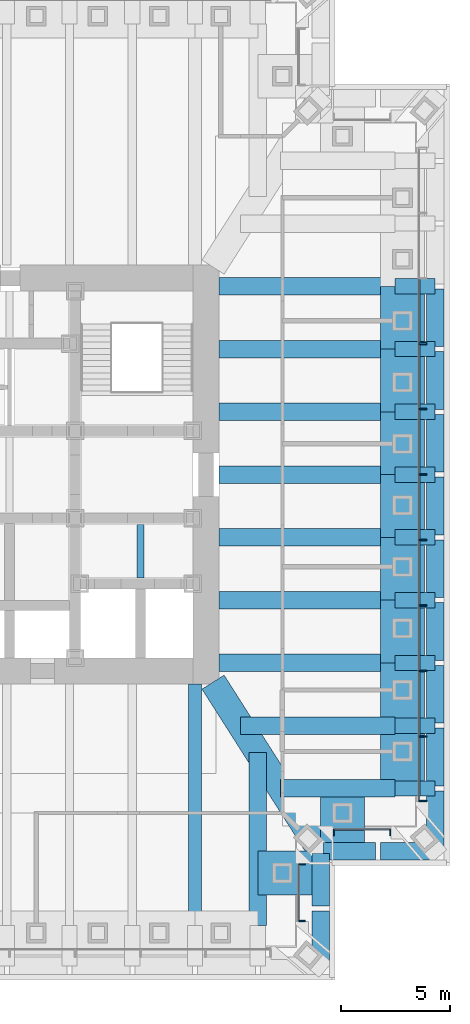
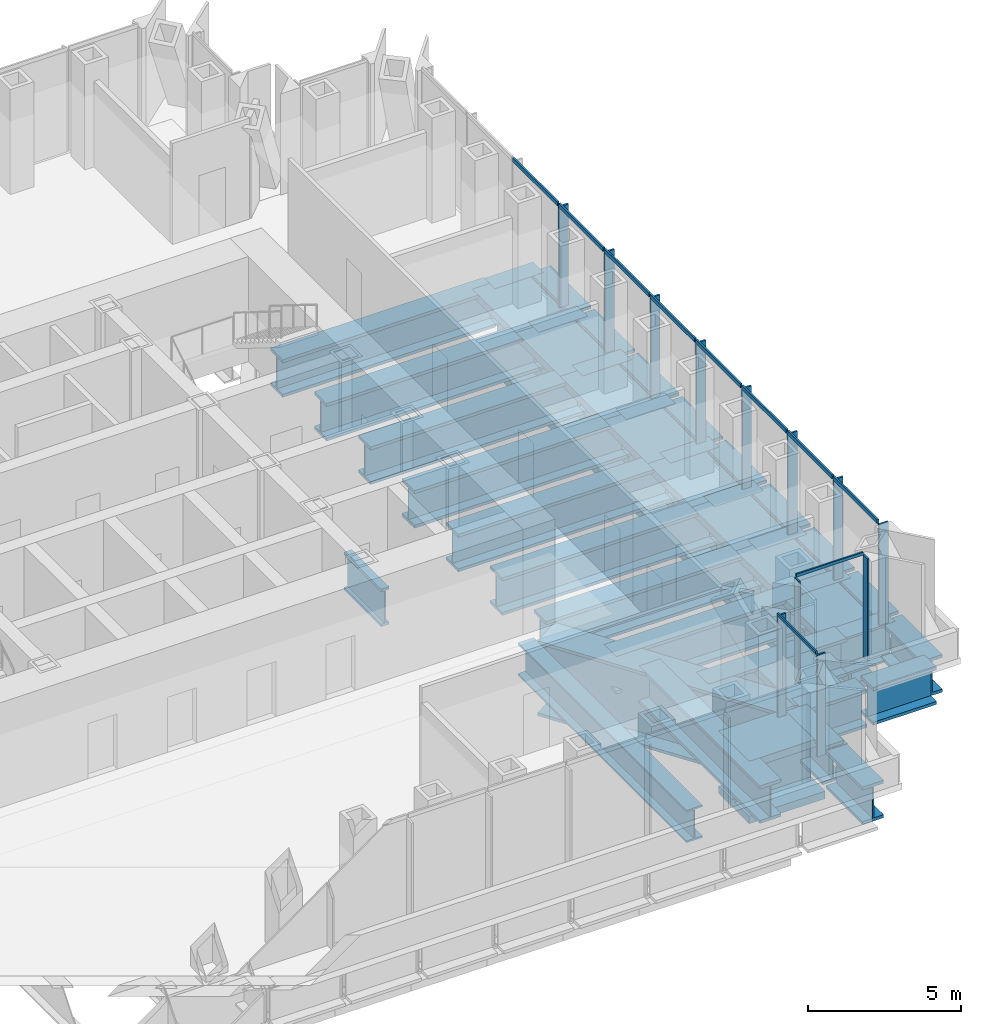
# One storey, part 4 of 12: 45 beams, 22 members, 3 elements without a shape of their own.
"""IFC4 building model written with IfcOpenShell, lengths in metres."""

from ifc_helpers import new_model, si_unit, direction, frame, origin, origin_2d, place, context, subcontext, project, spatial, rectangle, i_section, extrude, material, material_profile, profile_set, type_object, element, aggregate, save


model = new_model("IFC4")

# Units and contexts
model_context = context("Model", 3, precision=1e-05, world=origin(), true_north=direction((0.0, 1.0)))
body_context = subcontext(model_context, "Body", "Model", "MODEL_VIEW")
ifc_project = project(units=[si_unit("LENGTHUNIT", "METRE"), si_unit("AREAUNIT", "SQUARE_METRE"), si_unit("VOLUMEUNIT", "CUBIC_METRE"), si_unit("PLANEANGLEUNIT", "RADIAN"), si_unit("MASSUNIT", "GRAM", prefix="KILO")], contexts=[model_context])

# Site, building, storey
site_placement = place(None, origin())
site = spatial("IfcSite", under=ifc_project, at=site_placement, CompositionType="ELEMENT")
building_placement = place(site_placement, origin())
building = spatial("IfcBuilding", under=site, at=building_placement, Name="Daluyong Arena Tower", CompositionType="ELEMENT")
storey_placement = place(building_placement, frame((0.0, 0.0, 181.300048828125)))
storey = spatial("IfcBuildingStorey", under=building, at=storey_placement, Name="L40", CompositionType="ELEMENT", Elevation=181.300048828125)

# Curtain wall, members
ifc_material_1 = material(Name="Bronze anodised aluminium and glass", Category="aluminium")
curtain_wall_type_1 = type_object("IfcCurtainWallType", Name="Curtain wall CW3", PredefinedType="USERDEFINED", material=ifc_material_1)
curtain_wall_1_placement = place(storey_placement, origin())
curtain_wall_1 = element("IfcCurtainWall", 1, at=curtain_wall_1_placement, inside=storey, type_object=curtain_wall_type_1, Name="curtain wall L40 E", ObjectType="UNITISED CURTAIN WALL", PredefinedType="USERDEFINED")
ifc_material_2 = material(Name="Bronze anodised aluminium fin", Category="aluminium")
ifc_material_profile_1 = material_profile(ifc_material_2, rectangle(XDim=0.35009765625, YDim=0.070068359375, at=origin_2d()))
ifc_profile_set_1 = profile_set([ifc_material_profile_1], Name="Bronze anodised aluminium fin")
member_type_1 = type_object("IfcMemberType", Name="CW3 bronze fin 350x70", PredefinedType="MULLION", material=ifc_profile_set_1)
member_1_placement = place(storey_placement, frame((77.925048828125, 65.050537109375, 0.0), z_axis=(0.0, 0.0, 1.0), x_axis=(-1.0, 0.0, 0.0)))
member_1 = element("IfcMember", 2, at=member_1_placement, type_object=member_type_1, Name="curtain wall L40 E fin 1", PredefinedType="MULLION", context=body_context, shape_type="SweptSolid", body=[
    extrude(rectangle(XDim=0.35009765625, YDim=0.070068359375, at=origin_2d()), origin(), (0.0, 0.0, 1.0), 4.0400390625),
])
member_2_placement = place(storey_placement, frame((77.925048828125, 68.012451171875, 0.0), z_axis=(0.0, 0.0, 1.0), x_axis=(-1.0, 0.0, 0.0)))
member_2 = element("IfcMember", 3, at=member_2_placement, type_object=member_type_1, Name="curtain wall L40 E fin 2", PredefinedType="MULLION", context=body_context, shape_type="SweptSolid", body=[
    extrude(rectangle(XDim=0.35009765625, YDim=0.070068359375, at=origin_2d()), origin(), (0.0, 0.0, 1.0), 4.0400390625),
])
member_3_placement = place(storey_placement, frame((77.925048828125, 71.00927734375, 0.0), z_axis=(0.0, 0.0, 1.0), x_axis=(-1.0, 0.0, 0.0)))
member_3 = element("IfcMember", 4, at=member_3_placement, type_object=member_type_1, Name="curtain wall L40 E fin 3", PredefinedType="MULLION", context=body_context, shape_type="SweptSolid", body=[
    extrude(rectangle(XDim=0.35009765625, YDim=0.070068359375, at=origin_2d()), origin(), (0.0, 0.0, 1.0), 4.0400390625),
])
member_4_placement = place(storey_placement, frame((77.925048828125, 74.006103515625, 0.0), z_axis=(0.0, 0.0, 1.0), x_axis=(-1.0, 0.0, 0.0)))
member_4 = element("IfcMember", 5, at=member_4_placement, type_object=member_type_1, Name="curtain wall L40 E fin 4", PredefinedType="MULLION", context=body_context, shape_type="SweptSolid", body=[
    extrude(rectangle(XDim=0.35009765625, YDim=0.070068359375, at=origin_2d()), origin(), (0.0, 0.0, 1.0), 4.0400390625),
])
member_5_placement = place(storey_placement, frame((77.925048828125, 77.003173828125, 0.0), z_axis=(0.0, 0.0, 1.0), x_axis=(-1.0, 0.0, 0.0)))
member_5 = element("IfcMember", 6, at=member_5_placement, type_object=member_type_1, Name="curtain wall L40 E fin 5", PredefinedType="MULLION", context=body_context, shape_type="SweptSolid", body=[
    extrude(rectangle(XDim=0.35009765625, YDim=0.070068359375, at=origin_2d()), origin(), (0.0, 0.0, 1.0), 4.0400390625),
])
member_6_placement = place(storey_placement, frame((77.925048828125, 80.0, 0.0), z_axis=(0.0, 0.0, 1.0), x_axis=(-1.0, 0.0, 0.0)))
member_6 = element("IfcMember", 7, at=member_6_placement, type_object=member_type_1, Name="curtain wall L40 E fin 6", PredefinedType="MULLION", context=body_context, shape_type="SweptSolid", body=[
    extrude(rectangle(XDim=0.35009765625, YDim=0.070068359375, at=origin_2d()), origin(), (0.0, 0.0, 1.0), 4.0400390625),
])
member_7_placement = place(storey_placement, frame((77.925048828125, 82.996826171875, 0.0), z_axis=(0.0, 0.0, 1.0), x_axis=(-1.0, 0.0, 0.0)))
member_7 = element("IfcMember", 8, at=member_7_placement, type_object=member_type_1, Name="curtain wall L40 E fin 7", PredefinedType="MULLION", context=body_context, shape_type="SweptSolid", body=[
    extrude(rectangle(XDim=0.35009765625, YDim=0.070068359375, at=origin_2d()), origin(), (0.0, 0.0, 1.0), 4.0400390625),
])
member_8_placement = place(storey_placement, frame((77.925048828125, 85.993896484375, 0.0), z_axis=(0.0, 0.0, 1.0), x_axis=(-1.0, 0.0, 0.0)))
member_8 = element("IfcMember", 9, at=member_8_placement, type_object=member_type_1, Name="curtain wall L40 E fin 8", PredefinedType="MULLION", context=body_context, shape_type="SweptSolid", body=[
    extrude(rectangle(XDim=0.35009765625, YDim=0.070068359375, at=origin_2d()), origin(), (0.0, 0.0, 1.0), 4.0400390625),
])
ifc_material_3 = material(Name="Bronze anodised aluminium", Category="aluminium")
ifc_material_profile_2 = material_profile(ifc_material_3, rectangle(XDim=0.070068359375, YDim=0.159912109375, at=origin_2d()))
ifc_profile_set_2 = profile_set([ifc_material_profile_2], Name="Bronze anodised aluminium")
member_type_2 = type_object("IfcMemberType", Name="CW3 stack transom 160x70", PredefinedType="USERDEFINED", material=ifc_profile_set_2)
member_9_placement = place(storey_placement, frame((77.75, 65.08544921875, 4.119873046875), z_axis=(0.0, 1.0, 0.0), x_axis=(-1.0, 0.0, 0.0)))
member_9 = element("IfcMember", 10, at=member_9_placement, type_object=member_type_2, Name="curtain wall L40 E transom 1", ObjectType="TRANSOM", PredefinedType="USERDEFINED", context=body_context, shape_type="SweptSolid", body=[
    extrude(rectangle(XDim=0.070068359375, YDim=0.159912109375, at=origin_2d()), origin(), (0.0, 0.0, 1.0), 2.891845703125),
])
member_10_placement = place(storey_placement, frame((77.75, 68.04736328125, 4.119873046875), z_axis=(0.0, 1.0, 0.0), x_axis=(-1.0, 0.0, 0.0)))
member_10 = element("IfcMember", 11, at=member_10_placement, type_object=member_type_2, Name="curtain wall L40 E transom 2", ObjectType="TRANSOM", PredefinedType="USERDEFINED", context=body_context, shape_type="SweptSolid", body=[
    extrude(rectangle(XDim=0.070068359375, YDim=0.159912109375, at=origin_2d()), origin(), (0.0, 0.0, 1.0), 2.927001953125),
])
member_11_placement = place(storey_placement, frame((77.75, 71.044189453125, 4.119873046875), z_axis=(0.0, 1.0, 0.0), x_axis=(-1.0, 0.0, 0.0)))
member_11 = element("IfcMember", 12, at=member_11_placement, type_object=member_type_2, Name="curtain wall L40 E transom 3", ObjectType="TRANSOM", PredefinedType="USERDEFINED", context=body_context, shape_type="SweptSolid", body=[
    extrude(rectangle(XDim=0.070068359375, YDim=0.159912109375, at=origin_2d()), origin(), (0.0, 0.0, 1.0), 2.927001953125),
])
member_12_placement = place(storey_placement, frame((77.75, 74.041259765625, 4.119873046875), z_axis=(0.0, 1.0, 0.0), x_axis=(-1.0, 0.0, 0.0)))
member_12 = element("IfcMember", 13, at=member_12_placement, type_object=member_type_2, Name="curtain wall L40 E transom 4", ObjectType="TRANSOM", PredefinedType="USERDEFINED", context=body_context, shape_type="SweptSolid", body=[
    extrude(rectangle(XDim=0.070068359375, YDim=0.159912109375, at=origin_2d()), origin(), (0.0, 0.0, 1.0), 2.9267578125),
])
member_13_placement = place(storey_placement, frame((77.75, 77.0380859375, 4.119873046875), z_axis=(0.0, 1.0, 0.0), x_axis=(-1.0, 0.0, 0.0)))
member_13 = element("IfcMember", 14, at=member_13_placement, type_object=member_type_2, Name="curtain wall L40 E transom 5", ObjectType="TRANSOM", PredefinedType="USERDEFINED", context=body_context, shape_type="SweptSolid", body=[
    extrude(rectangle(XDim=0.070068359375, YDim=0.159912109375, at=origin_2d()), origin(), (0.0, 0.0, 1.0), 2.927001953125),
])
member_14_placement = place(storey_placement, frame((77.75, 80.034912109375, 4.119873046875), z_axis=(0.0, 1.0, 0.0), x_axis=(-1.0, 0.0, 0.0)))
member_14 = element("IfcMember", 15, at=member_14_placement, type_object=member_type_2, Name="curtain wall L40 E transom 6", ObjectType="TRANSOM", PredefinedType="USERDEFINED", context=body_context, shape_type="SweptSolid", body=[
    extrude(rectangle(XDim=0.070068359375, YDim=0.159912109375, at=origin_2d()), origin(), (0.0, 0.0, 1.0), 2.927001953125),
])
member_15_placement = place(storey_placement, frame((77.75, 83.031982421875, 4.119873046875), z_axis=(0.0, 1.0, 0.0), x_axis=(-1.0, 0.0, 0.0)))
member_15 = element("IfcMember", 16, at=member_15_placement, type_object=member_type_2, Name="curtain wall L40 E transom 7", ObjectType="TRANSOM", PredefinedType="USERDEFINED", context=body_context, shape_type="SweptSolid", body=[
    extrude(rectangle(XDim=0.070068359375, YDim=0.159912109375, at=origin_2d()), origin(), (0.0, 0.0, 1.0), 2.9267578125),
])
member_16_placement = place(storey_placement, frame((77.75, 86.02880859375, 4.119873046875), z_axis=(0.0, 1.0, 0.0), x_axis=(-1.0, 0.0, 0.0)))
member_16 = element("IfcMember", 17, at=member_16_placement, type_object=member_type_2, Name="curtain wall L40 E transom 8", ObjectType="TRANSOM", PredefinedType="USERDEFINED", context=body_context, shape_type="SweptSolid", body=[
    extrude(rectangle(XDim=0.070068359375, YDim=0.159912109375, at=origin_2d()), origin(), (0.0, 0.0, 1.0), 2.927001953125),
])
aggregate(curtain_wall_1, [member_1, member_2, member_3, member_4, member_5, member_6, member_7, member_8, member_9, member_10, member_11, member_12, member_13, member_14, member_15, member_16])

ifc_material_4 = material(Name="Bronze anodised aluminium and glass", Category="aluminium")
curtain_wall_type_2 = type_object("IfcCurtainWallType", Name="Curtain wall CW7", PredefinedType="USERDEFINED", material=ifc_material_4)
curtain_wall_2_placement = place(storey_placement, origin())
curtain_wall_2 = element("IfcCurtainWall", 18, at=curtain_wall_2_placement, inside=storey, type_object=curtain_wall_type_2, Name="curtain wall L40 SE-E", ObjectType="UNITISED CURTAIN WALL", PredefinedType="USERDEFINED")
ifc_material_5 = material(Name="Bronze anodised aluminium fin", Category="aluminium")
ifc_material_profile_3 = material_profile(ifc_material_5, rectangle(XDim=0.300048828125, YDim=0.06005859375, at=origin_2d()))
ifc_profile_set_3 = profile_set([ifc_material_profile_3], Name="Bronze anodised aluminium fin")
member_type_3 = type_object("IfcMemberType", Name="CW7 bronze fin 300x60", PredefinedType="MULLION", material=ifc_profile_set_3)
member_17_placement = place(storey_placement, frame((72.39990234375, 59.55908203125, 0.0), z_axis=(0.0, 0.0, 1.0), x_axis=(-1.0, 0.0, 0.0)))
member_17 = element("IfcMember", 19, at=member_17_placement, type_object=member_type_3, Name="curtain wall L40 SE-E fin 1", PredefinedType="MULLION", context=body_context, shape_type="SweptSolid", body=[
    extrude(rectangle(XDim=0.300048828125, YDim=0.06005859375, at=origin_2d()), origin(), (0.0, 0.0, 1.0), 4.079833984375),
])
member_18_placement = place(storey_placement, frame((72.39990234375, 62.14794921875, 0.0), z_axis=(0.0, 0.0, 1.0), x_axis=(-1.0, 0.0, 0.0)))
member_18 = element("IfcMember", 20, at=member_18_placement, type_object=member_type_3, Name="curtain wall L40 SE-E fin 2", PredefinedType="MULLION", context=body_context, shape_type="SweptSolid", body=[
    extrude(rectangle(XDim=0.300048828125, YDim=0.06005859375, at=origin_2d()), origin(), (0.0, 0.0, 1.0), 4.079833984375),
])

curtain_wall_3_placement = place(storey_placement, origin())
curtain_wall_3 = element("IfcCurtainWall", 21, at=curtain_wall_3_placement, inside=storey, type_object=curtain_wall_type_2, Name="curtain wall L40 SE-S", ObjectType="UNITISED CURTAIN WALL", PredefinedType="USERDEFINED")
member_19_placement = place(storey_placement, frame((73.85205078125, 63.60009765625, 0.0), z_axis=(0.0, 0.0, 1.0), x_axis=(0.0, 1.0, 0.0)))
member_19 = element("IfcMember", 22, at=member_19_placement, type_object=member_type_3, Name="curtain wall L40 SE-S fin 1", PredefinedType="MULLION", context=body_context, shape_type="SweptSolid", body=[
    extrude(rectangle(XDim=0.300048828125, YDim=0.06005859375, at=origin_2d()), origin(), (0.0, 0.0, 1.0), 4.079833984375),
])
member_20_placement = place(storey_placement, frame((76.44091796875, 63.60009765625, 0.0), z_axis=(0.0, 0.0, 1.0), x_axis=(0.0, 1.0, 0.0)))
member_20 = element("IfcMember", 23, at=member_20_placement, type_object=member_type_3, Name="curtain wall L40 SE-S fin 2", PredefinedType="MULLION", context=body_context, shape_type="SweptSolid", body=[
    extrude(rectangle(XDim=0.300048828125, YDim=0.06005859375, at=origin_2d()), origin(), (0.0, 0.0, 1.0), 4.079833984375),
])

# Member
ifc_material_6 = material(Name="Bronze anodised aluminium", Category="aluminium")
ifc_material_profile_4 = material_profile(ifc_material_6, rectangle(XDim=0.06005859375, YDim=0.1201171875, at=origin_2d()))
ifc_profile_set_4 = profile_set([ifc_material_profile_4], Name="Bronze anodised aluminium")
member_type_4 = type_object("IfcMemberType", Name="CW7 stack transom 120x60", PredefinedType="USERDEFINED", material=ifc_profile_set_4)
member_21_placement = place(storey_placement, frame((72.25, 59.589111328125, 4.139892578125), z_axis=(0.0, 1.0, 0.0), x_axis=(-1.0, 0.0, 0.0)))
member_21 = element("IfcMember", 24, at=member_21_placement, type_object=member_type_4, Name="curtain wall L40 SE-E transom 1", ObjectType="TRANSOM", PredefinedType="USERDEFINED", context=body_context, shape_type="SweptSolid", body=[
    extrude(rectangle(XDim=0.06005859375, YDim=0.1201171875, at=origin_2d()), origin(), (0.0, 0.0, 1.0), 2.52880859375),
])

aggregate(curtain_wall_2, [member_17, member_18, member_21])

member_22_placement = place(storey_placement, frame((73.882080078125, 63.75, 4.139892578125), z_axis=(1.0, 0.0, 0.0), x_axis=(0.0, 1.0, 0.0)))
member_22 = element("IfcMember", 25, at=member_22_placement, type_object=member_type_4, Name="curtain wall L40 SE-S transom 1", ObjectType="TRANSOM", PredefinedType="USERDEFINED", context=body_context, shape_type="SweptSolid", body=[
    extrude(rectangle(XDim=0.06005859375, YDim=0.1201171875, at=origin_2d()), origin(), (0.0, 0.0, 1.0), 2.52880859375),
])

aggregate(curtain_wall_3, [member_19, member_20, member_22])

# Beams
ifc_material_7 = material(Name="Steel ASTM A588 Grade 50", Category="steel")
ifc_material_profile_5 = material_profile(ifc_material_7, i_section(OverallWidth=0.800048828125, OverallDepth=1.5, WebThickness=0.05, FlangeThickness=0.12, at=origin_2d()))
ifc_profile_set_5 = profile_set([ifc_material_profile_5], Name="Steel ASTM A588 Grade 50")
beam_type_1 = type_object("IfcBeamType", Name="Floor beam PG1500X800", PredefinedType="BEAM", material=ifc_profile_set_5)
beam_1_placement = place(storey_placement, frame((70.375, 59.35009765625, -1.0), z_axis=(0.0, 1.0, 0.0), x_axis=(-1.0, 0.0, 0.0)))
element("IfcBeam", 26, at=beam_1_placement, inside=storey, type_object=beam_type_1, Name="floor beam FB9", PredefinedType="BEAM", context=body_context, shape_type="SweptSolid", body=[
    extrude(i_section(OverallWidth=0.800048828125, OverallDepth=1.5, WebThickness=0.05, FlangeThickness=0.12, at=origin_2d()), origin(), (0.0, 0.0, 1.0), 7.917724609375),
])
beam_2_placement = place(storey_placement, frame((76.64990234375, 65.625, -1.0), z_axis=(-1.0, 0.0, 0.0), x_axis=(0.0, -1.0, 0.0)))
element("IfcBeam", 27, at=beam_2_placement, inside=storey, type_object=beam_type_1, Name="floor beam FB9", PredefinedType="BEAM", context=body_context, shape_type="SweptSolid", body=[
    extrude(i_section(OverallWidth=0.800048828125, OverallDepth=1.5, WebThickness=0.05, FlangeThickness=0.12, at=origin_2d()), origin(), (0.0, 0.0, 1.0), 5.2294921875),
])
beam_3_placement = place(storey_placement, frame((76.64990234375, 68.5, -1.0), z_axis=(-1.0, 0.0, 0.0), x_axis=(0.0, -1.0, 0.0)))
element("IfcBeam", 28, at=beam_3_placement, inside=storey, type_object=beam_type_1, Name="floor beam FB9", PredefinedType="BEAM", context=body_context, shape_type="SweptSolid", body=[
    extrude(i_section(OverallWidth=0.800048828125, OverallDepth=1.5, WebThickness=0.05, FlangeThickness=0.12, at=origin_2d()), origin(), (0.0, 0.0, 1.0), 7.05908203125),
])
for number, where, z_axis, x_axis, name in (
    (29, (76.64990234375, 71.375, -1.0), (-1.0, 0.0, 0.0), (0.0, -1.0, 0.0), "floor beam FB9"),
    (30, (76.64990234375, 74.25, -1.0), (-1.0, 0.0, 0.0), (0.0, -1.0, 0.0), "floor beam FB9"),
    (31, (76.64990234375, 77.125, -1.0), (-1.0, 0.0, 0.0), (0.0, -1.0, 0.0), "floor beam FB9"),
    (32, (76.64990234375, 80.0, -1.0), (-1.0, 0.0, 0.0), (0.0, -1.0, 0.0), "floor beam FB9"),
    (33, (76.64990234375, 82.875, -1.0), (-1.0, 0.0, 0.0), (0.0, -1.0, 0.0), "floor beam FB9"),
    (34, (76.64990234375, 85.75, -1.0), (-1.0, 0.0, 0.0), (0.0, -1.0, 0.0), "floor beam FB9"),
    (35, (76.64990234375, 88.625, -1.0), (-1.0, 0.0, 0.0), (0.0, -1.0, 0.0), "floor beam FB9"),
):
    element("IfcBeam", number, at=place(storey_placement, frame(where, z_axis=z_axis, x_axis=x_axis)), inside=storey, type_object=beam_type_1, Name=name, PredefinedType="BEAM", context=body_context, shape_type="SweptSolid", body=[
        extrude(i_section(OverallWidth=0.800048828125, OverallDepth=1.5, WebThickness=0.05, FlangeThickness=0.12, at=origin_2d()), origin(), (0.0, 0.0, 1.0), 8.0498046875),
    ])
ifc_material_8 = material(Name="Steel ASTM A572 Grade 50", Category="steel")
ifc_material_profile_6 = material_profile(ifc_material_8, i_section(OverallWidth=0.60009765625, OverallDepth=1.300048828125, WebThickness=0.035, FlangeThickness=0.07, at=origin_2d()))
ifc_profile_set_6 = profile_set([ifc_material_profile_6], Name="Steel ASTM A572 Grade 50")
beam_type_2 = type_object("IfcBeamType", Name="Floor beam TB1300X600", PredefinedType="BEAM", material=ifc_profile_set_6)
beam_4_placement = place(storey_placement, frame((67.5, 59.35009765625, -0.900146484375), z_axis=(0.0, 1.0, 0.0), x_axis=(-1.0, 0.0, 0.0)))
element("IfcBeam", 36, at=beam_4_placement, inside=storey, type_object=beam_type_2, Name="floor beam FB7", PredefinedType="BEAM", context=body_context, shape_type="SweptSolid", body=[
    extrude(i_section(OverallWidth=0.60009765625, OverallDepth=1.300048828125, WebThickness=0.035, FlangeThickness=0.07, at=origin_2d()), origin(), (0.0, 0.0, 1.0), 11.0498046875),
])
ifc_material_9 = material(Name="Steel ASTM A572 Grade 50", Category="steel")
ifc_material_profile_7 = material_profile(ifc_material_9, i_section(OverallWidth=0.300048828125, OverallDepth=1.5, WebThickness=0.04, FlangeThickness=0.1, at=origin_2d()))
ifc_profile_set_7 = profile_set([ifc_material_profile_7], Name="Steel ASTM A572 Grade 50")
beam_type_3 = type_object("IfcBeamType", Name="Lift divider beam PG1500X300", PredefinedType="BEAM", material=ifc_profile_set_7)
beam_5_placement = place(storey_placement, frame((65.0, 75.27490234375, -1.0), z_axis=(0.0, 1.0, 0.0), x_axis=(-1.0, 0.0, 0.0)))
element("IfcBeam", 37, at=beam_5_placement, inside=storey, type_object=beam_type_3, Name="lift divider beam DB2", PredefinedType="BEAM", context=body_context, shape_type="SweptSolid", body=[
    extrude(i_section(OverallWidth=0.300048828125, OverallDepth=1.5, WebThickness=0.04, FlangeThickness=0.1, at=origin_2d()), origin(), (0.0, 0.0, 1.0), 2.4501953125),
])
ifc_material_10 = material(Name="Steel ASTM A588 Grade 50", Category="steel")
ifc_material_profile_8 = material_profile(ifc_material_10, i_section(OverallWidth=0.800048828125, OverallDepth=1.5, WebThickness=0.05, FlangeThickness=0.12, at=origin_2d()))
ifc_profile_set_8 = profile_set([ifc_material_profile_8], Name="Steel ASTM A588 Grade 50")
beam_type_4 = type_object("IfcBeamType", Name="Spandrel Z2 PG1500X800", PredefinedType="SPANDREL", material=ifc_profile_set_8)
for number, where, z_axis, x_axis, name in (
    (38, (73.25, 57.614990234375, -1.0), (0.0, 1.0, 0.0), (-1.0, 0.0, 0.0), "spandrel z2 SB5"),
    (39, (73.25, 60.239990234375, -1.0), (0.0, 1.0, 0.0), (-1.0, 0.0, 0.0), "spandrel z2 SB5"),
    (40, (73.364990234375, 62.75, -1.0), (1.0, 0.0, 0.0), (0.0, 1.0, 0.0), "spandrel z2 SB5"),
    (41, (75.989990234375, 62.75, -1.0), (1.0, 0.0, 0.0), (0.0, 1.0, 0.0), "spandrel z2 SB5"),
):
    element("IfcBeam", number, at=place(storey_placement, frame(where, z_axis=z_axis, x_axis=x_axis)), inside=storey, type_object=beam_type_4, Name=name, PredefinedType="SPANDREL", context=body_context, shape_type="SweptSolid", body=[
        extrude(i_section(OverallWidth=0.800048828125, OverallDepth=1.5, WebThickness=0.05, FlangeThickness=0.12, at=origin_2d()), origin(), (0.0, 0.0, 1.0), 2.39501953125),
    ])
for number, where, z_axis, x_axis, name in (
    (42, (78.5, 62.864990234375, -1.0), (0.0, 1.0, 0.0), (-1.0, 0.0, 0.0), "spandrel z2 SB5"),
    (43, (78.5, 65.739990234375, -1.0), (0.0, 1.0, 0.0), (-1.0, 0.0, 0.0), "spandrel z2 SB5"),
    (44, (78.5, 68.614990234375, -1.0), (0.0, 1.0, 0.0), (-1.0, 0.0, 0.0), "spandrel z2 SB5"),
    (45, (78.5, 71.489990234375, -1.0), (0.0, 1.0, 0.0), (-1.0, 0.0, 0.0), "spandrel z2 SB5"),
    (46, (78.5, 74.364990234375, -1.0), (0.0, 1.0, 0.0), (-1.0, 0.0, 0.0), "spandrel z2 SB5"),
    (47, (78.5, 77.239990234375, -1.0), (0.0, 1.0, 0.0), (-1.0, 0.0, 0.0), "spandrel z2 SB5"),
    (48, (78.5, 80.114990234375, -1.0), (0.0, 1.0, 0.0), (-1.0, 0.0, 0.0), "spandrel z2 SB5"),
    (49, (78.5, 82.989990234375, -1.0), (0.0, 1.0, 0.0), (-1.0, 0.0, 0.0), "spandrel z2 SB5"),
    (50, (78.5, 85.864990234375, -1.0), (0.0, 1.0, 0.0), (-1.0, 0.0, 0.0), "spandrel z2 SB5"),
):
    element("IfcBeam", number, at=place(storey_placement, frame(where, z_axis=z_axis, x_axis=x_axis)), inside=storey, type_object=beam_type_4, Name=name, PredefinedType="SPANDREL", context=body_context, shape_type="SweptSolid", body=[
        extrude(i_section(OverallWidth=0.800048828125, OverallDepth=1.5, WebThickness=0.05, FlangeThickness=0.12, at=origin_2d()), origin(), (0.0, 0.0, 1.0), 2.64501953125),
    ])
ifc_material_11 = material(Name="Steel ASTM A572 Grade 50", Category="steel")
ifc_material_profile_9 = material_profile(ifc_material_11, i_section(OverallWidth=0.699951171875, OverallDepth=1.5, WebThickness=0.04, FlangeThickness=0.08, at=origin_2d()))
ifc_profile_set_9 = profile_set([ifc_material_profile_9], Name="Steel ASTM A572 Grade 50")
beam_type_5 = type_object("IfcBeamType", Name="Transfer beam PG1500X700", PredefinedType="BEAM", material=ifc_profile_set_9)
for number, where, z_axis, x_axis, name in (
    (51, (78.5, 65.625, -1.0), (-1.0, 0.0, 0.0), (0.0, -1.0, 0.0), "transfer beam TR6"),
    (52, (78.5, 68.5, -1.0), (-1.0, 0.0, 0.0), (0.0, -1.0, 0.0), "transfer beam TR6"),
    (53, (78.5, 71.375, -1.0), (-1.0, 0.0, 0.0), (0.0, -1.0, 0.0), "transfer beam TR6"),
    (54, (78.5, 74.25, -1.0), (-1.0, 0.0, 0.0), (0.0, -1.0, 0.0), "transfer beam TR6"),
    (55, (78.5, 77.125, -1.0), (-1.0, 0.0, 0.0), (0.0, -1.0, 0.0), "transfer beam TR6"),
    (56, (78.5, 80.0, -1.0), (-1.0, 0.0, 0.0), (0.0, -1.0, 0.0), "transfer beam TR6"),
    (57, (78.5, 82.875, -1.0), (-1.0, 0.0, 0.0), (0.0, -1.0, 0.0), "transfer beam TR6"),
    (58, (78.5, 85.75, -1.0), (-1.0, 0.0, 0.0), (0.0, -1.0, 0.0), "transfer beam TR6"),
    (59, (78.5, 88.625, -1.0), (-1.0, 0.0, 0.0), (0.0, -1.0, 0.0), "transfer beam TR6"),
):
    element("IfcBeam", number, at=place(storey_placement, frame(where, z_axis=z_axis, x_axis=x_axis)), inside=storey, type_object=beam_type_5, Name=name, PredefinedType="BEAM", context=body_context, shape_type="SweptSolid", body=[
        extrude(i_section(OverallWidth=0.699951171875, OverallDepth=1.5, WebThickness=0.04, FlangeThickness=0.08, at=origin_2d()), origin(), (0.0, 0.0, 1.0), 1.85009765625),
    ])
ifc_material_12 = material(Name="Steel ASTM A36", Category="steel")
ifc_material_profile_10 = material_profile(ifc_material_12, i_section(OverallWidth=2.0, OverallDepth=2.5, WebThickness=0.12, FlangeThickness=0.3, at=origin_2d()))
ifc_profile_set_10 = profile_set([ifc_material_profile_10], Name="Steel ASTM A36")
beam_type_6 = type_object("IfcBeamType", Name="Transfer beam PG2500X2000", PredefinedType="BEAM", material=ifc_profile_set_10)
for number, where, z_axis, x_axis, name in (
    (60, (70.375, 61.75, -1.5), (1.0, 0.0, 0.0), (0.0, 1.0, 0.0), "transfer beam TR3"),
    (61, (74.25, 62.75, -1.5), (0.0, 1.0, 0.0), (-1.0, 0.0, 0.0), "transfer beam TR3"),
    (62, (77.0, 65.625, -1.5), (0.0, 1.0, 0.0), (-1.0, 0.0, 0.0), "transfer beam TR3"),
    (63, (77.0, 68.5, -1.5), (0.0, 1.0, 0.0), (-1.0, 0.0, 0.0), "transfer beam TR3"),
    (64, (77.0, 71.375, -1.5), (0.0, 1.0, 0.0), (-1.0, 0.0, 0.0), "transfer beam TR3"),
    (65, (77.0, 74.25, -1.5), (0.0, 1.0, 0.0), (-1.0, 0.0, 0.0), "transfer beam TR3"),
    (66, (77.0, 77.125, -1.5), (0.0, 1.0, 0.0), (-1.0, 0.0, 0.0), "transfer beam TR3"),
    (67, (77.0, 80.0, -1.5), (0.0, 1.0, 0.0), (-1.0, 0.0, 0.0), "transfer beam TR3"),
    (68, (77.0, 82.875, -1.5), (0.0, 1.0, 0.0), (-1.0, 0.0, 0.0), "transfer beam TR3"),
    (69, (77.0, 85.75, -1.5), (0.0, 1.0, 0.0), (-1.0, 0.0, 0.0), "transfer beam TR3"),
):
    element("IfcBeam", number, at=place(storey_placement, frame(where, z_axis=z_axis, x_axis=x_axis)), inside=storey, type_object=beam_type_6, Name=name, PredefinedType="BEAM", context=body_context, shape_type="SweptSolid", body=[
        extrude(i_section(OverallWidth=2.0, OverallDepth=2.5, WebThickness=0.12, FlangeThickness=0.3, at=origin_2d()), origin(), (0.0, 0.0, 1.0), 2.875),
    ])
ifc_material_13 = material(Name="Steel ASTM A588 Grade 50", Category="steel")
ifc_material_profile_11 = material_profile(ifc_material_13, i_section(OverallWidth=1.199951171875, OverallDepth=3.0, WebThickness=0.06, FlangeThickness=0.12, at=origin_2d()))
ifc_profile_set_11 = profile_set([ifc_material_profile_11], Name="Steel ASTM A588 Grade 50")
beam_type_7 = type_object("IfcBeamType", Name="Transfer beam PG3000X1200", PredefinedType="BEAM", material=ifc_profile_set_11)
beam_6_placement = place(storey_placement, frame((73.25, 62.75, -1.75), z_axis=(-0.536878934272, 0.843659297308, 0.0), x_axis=(-0.843659297308, -0.536878934272, 0.0)))
element("IfcBeam", 70, at=beam_6_placement, inside=storey, type_object=beam_type_7, Name="transfer beam TR5", PredefinedType="BEAM", context=body_context, shape_type="SweptSolid", body=[
    extrude(i_section(OverallWidth=1.199951171875, OverallDepth=3.0, WebThickness=0.06, FlangeThickness=0.12, at=origin_2d()), origin(), (0.0, 0.0, 1.0), 9.178955078125),
])

save(model, "model.ifc")
